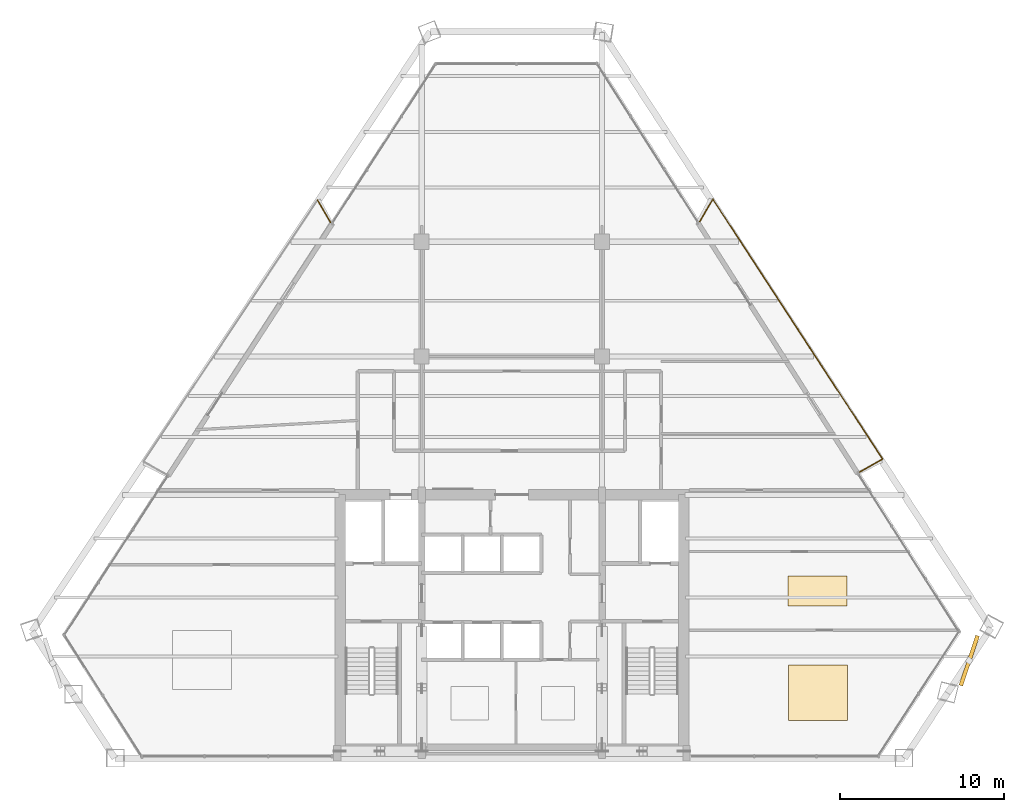
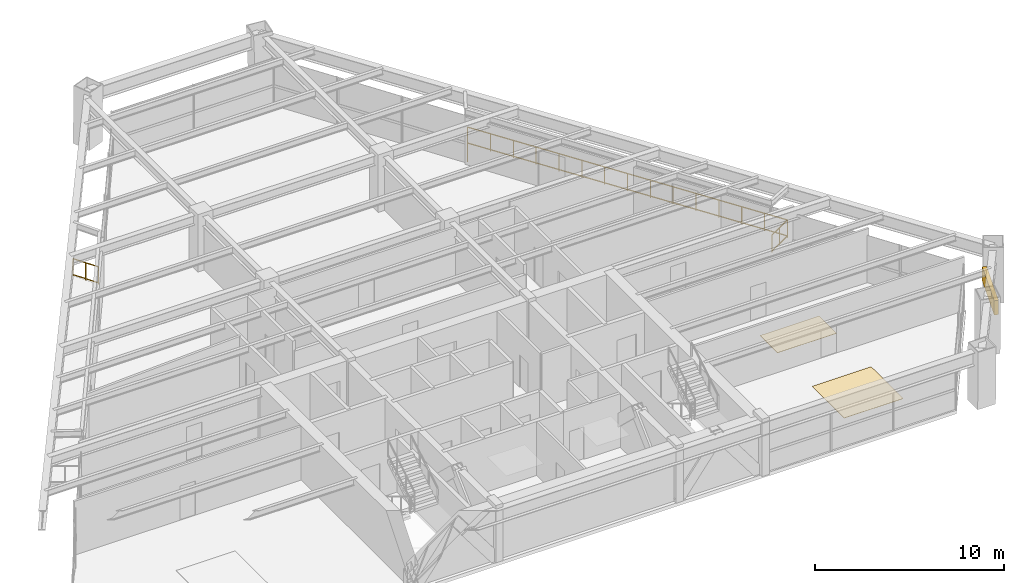
# One storey, part 15 of 15: 4 railings, 2 coverings, 1 shading device.
"""IFC4 building model written with IfcOpenShell, lengths in metres."""

import ifcopenshell
import ifcopenshell.guid

model = None  # the IFC model being written
_history = None  # IfcOwnerHistory: only IFC2X3 demands one
_inside = {}  # id of a spatial element -> (the spatial element, [elements in it])
_under = {}  # id of a project, library or spatial element -> (it, [spatial elements below it])
_declared = {}  # id of a project -> (the project, [libraries it declares])
_typed = {}  # id of a type object -> (the type object, [elements of that type])
_made_of = {}  # id of a material, layer set ... -> (it, [elements and type objects made of it])


def new_model(schema):
    """Start an empty IFC model of exactly this schema.

    Asked for "IFC4X3", IfcOpenShell would pick the latest addendum, in which some entities
    have other attributes; the version numbers below select the first issue.
    IFC2X3 requires an IfcOwnerHistory on every rooted entity: one is made here for all.
    """
    global model, _history
    if schema == "IFC4X3":
        model = ifcopenshell.file(schema_version=(4, 3, 0, 0))
    else:
        model = ifcopenshell.file(schema=schema)
    _inside.clear()
    _under.clear()
    _declared.clear()
    _typed.clear()
    _made_of.clear()
    _history = None
    if model.schema == "IFC2X3":
        org = make("IfcOrganization", Name="unknown")
        user = make(
            "IfcPersonAndOrganization",
            ThePerson=make("IfcPerson", FamilyName="unknown"),
            TheOrganization=org,
        )
        app = make(
            "IfcApplication",
            ApplicationDeveloper=org,
            Version="unknown",
            ApplicationFullName="unknown",
            ApplicationIdentifier="unknown",
        )
        _history = make(
            "IfcOwnerHistory",
            OwningUser=user,
            OwningApplication=app,
            ChangeAction="ADDED",
            CreationDate=0,
        )
    return model


def make(cls, **values):
    """One entity of the class cls with the attributes given. An attribute that is None is left unset."""
    return model.create_entity(
        cls, **{name: value for name, value in values.items() if value is not None}
    )


def rooted(cls, **values):
    """An entity with a GlobalId (a new one), such as an element, a storey or a relation."""
    return make(cls, GlobalId=ifcopenshell.guid.new(), OwnerHistory=_history, **values)


def si_unit(unit_type, name, prefix=None):
    """IfcSIUnit, for example si_unit("LENGTHUNIT", "METRE", prefix="MILLI")."""
    return make("IfcSIUnit", UnitType=unit_type, Prefix=prefix, Name=name)


def assignment(units):
    """IfcUnitAssignment: the units of a project."""
    return None if units is None else make("IfcUnitAssignment", Units=units)


def point(xyz):
    """IfcCartesianPoint."""
    return None if xyz is None else make("IfcCartesianPoint", Coordinates=xyz)


def direction(xyz):
    """IfcDirection."""
    return None if xyz is None else make("IfcDirection", DirectionRatios=xyz)


def frame(location, z_axis=None, x_axis=None):
    """IfcAxis2Placement3D, a coordinate frame: its origin and axes. An axis left out is left unset."""
    return make(
        "IfcAxis2Placement3D",
        Location=point(location),
        Axis=direction(z_axis),
        RefDirection=direction(x_axis),
    )


def frame_2d(location, x_axis=None):
    """IfcAxis2Placement2D, a coordinate frame in the plane: its origin and x axis."""
    return make(
        "IfcAxis2Placement2D", Location=point(location), RefDirection=direction(x_axis)
    )


def origin():
    """The frame at (0, 0, 0) with its axes left unset."""
    return frame((0.0, 0.0, 0.0))


def origin_2d():
    """The frame at (0, 0) in the plane with its x axis left unset."""
    return frame_2d((0.0, 0.0))


def place(relative_to, where):
    """IfcLocalPlacement: puts the frame where relative to a parent placement (None: the world)."""
    return make(
        "IfcLocalPlacement", PlacementRelTo=relative_to, RelativePlacement=where
    )


def context(
    kind, dimensions, precision=None, world=None, true_north=None, identifier=None
):
    """IfcGeometricRepresentationContext, for example the 3D "Model" context."""
    return make(
        "IfcGeometricRepresentationContext",
        ContextIdentifier=identifier,
        ContextType=kind,
        CoordinateSpaceDimension=dimensions,
        Precision=precision,
        WorldCoordinateSystem=world,
        TrueNorth=true_north,
    )


def subcontext(parent, identifier, kind, view, scale=None):
    """IfcGeometricRepresentationSubContext, for example "Body" below "Model"."""
    return make(
        "IfcGeometricRepresentationSubContext",
        ContextIdentifier=identifier,
        ContextType=kind,
        ParentContext=parent,
        TargetScale=scale,
        TargetView=view,
    )


def project(units=None, contexts=None):
    """IfcProject with its units and contexts."""
    return rooted(
        "IfcProject",
        Name="project",
        RepresentationContexts=contexts,
        UnitsInContext=assignment(units),
    )


def spatial(cls, under=None, at=None, **own):
    """A site, building, storey or space (cls), placed at a placement, below another one or the project."""
    s = rooted(cls, ObjectPlacement=at, **own)
    if under is not None:
        _under.setdefault(under.id(), (under, []))[1].append(s)
    return s


def profile(cls, at=None, kind="AREA", **sizes):
    """A parametric profile (cls). Its sizes go by their IFC names, for example OverallWidth=200.0."""
    return make(cls, ProfileType=kind, Position=at, **sizes)


def rectangle(**sizes):
    """IfcRectangleProfileDef."""
    return profile("IfcRectangleProfileDef", **sizes)


def extrude(swept, where, along, depth):
    """IfcExtrudedAreaSolid: the profile swept, set in the frame where, extruded along a direction by depth."""
    return make(
        "IfcExtrudedAreaSolid",
        SweptArea=swept,
        Position=where,
        ExtrudedDirection=direction(along),
        Depth=depth,
    )


def shape(context_of_items, identifier, shape_type, items):
    """IfcShapeRepresentation: the items that make up one representation, for example the "Body"."""
    return make(
        "IfcShapeRepresentation",
        ContextOfItems=context_of_items,
        RepresentationIdentifier=identifier,
        RepresentationType=shape_type,
        Items=items,
    )


def source(mapping_origin, context_of_items, identifier, shape_type, items):
    """IfcRepresentationMap: a shape defined once, which mapped items show again and again."""
    return make(
        "IfcRepresentationMap",
        MappingOrigin=mapping_origin,
        MappedRepresentation=shape(context_of_items, identifier, shape_type, items),
    )


def transform(
    local_origin,
    x_axis=None,
    y_axis=None,
    z_axis=None,
    scale=None,
    scale2=None,
    scale3=None,
    uniform=True,
):
    """IfcCartesianTransformationOperator3D, or its non-uniform kind. x_axis, y_axis, z_axis: its Axis1, 2, 3."""
    if uniform:
        return make(
            "IfcCartesianTransformationOperator3D",
            Axis1=direction(x_axis),
            Axis2=direction(y_axis),
            LocalOrigin=point(local_origin),
            Scale=scale,
            Axis3=direction(z_axis),
        )
    return make(
        "IfcCartesianTransformationOperator3DnonUniform",
        Axis1=direction(x_axis),
        Axis2=direction(y_axis),
        LocalOrigin=point(local_origin),
        Scale=scale,
        Axis3=direction(z_axis),
        Scale2=scale2,
        Scale3=scale3,
    )


def mapped(mapping_source, mapping_target):
    """IfcMappedItem: shows the shape of a source again, moved by a transform."""
    return make(
        "IfcMappedItem", MappingSource=mapping_source, MappingTarget=mapping_target
    )


def material(Name=None, Category=None):
    """IfcMaterial."""
    return make("IfcMaterial", Name=Name, Category=Category)


def layer(
    of_material, thickness, ventilated=None, Name=None, Category=None, Priority=None
):
    """IfcMaterialLayer: one layer of a wall or slab, of a material (None: an air gap)."""
    return make(
        "IfcMaterialLayer",
        Material=of_material,
        LayerThickness=thickness,
        IsVentilated=ventilated,
        Name=Name,
        Category=Category,
        Priority=Priority,
    )


def layer_set(layers, Name=None):
    """IfcMaterialLayerSet."""
    return make("IfcMaterialLayerSet", MaterialLayers=layers, LayerSetName=Name)


def made_of(thing, what):
    """Note that an element or type object is made of a material, layer set ...; save() writes the relation."""
    if what is not None:
        _made_of.setdefault(what.id(), (what, []))[1].append(thing)
    return thing


def type_object(cls, material=None, **own):
    """A type object (cls), such as IfcWallType, which elements share."""
    return made_of(rooted(cls, **own), material)


def type_shapes(of_type, sources):
    """Give a type object the sources (RepresentationMaps) that its elements show as mapped items."""
    of_type.RepresentationMaps = sources


def element(
    cls,
    number,
    at=None,
    inside=None,
    cuts=None,
    type_object=None,
    material=None,
    context=None,
    identifier="Body",
    shape_type=None,
    held_by="IfcProductDefinitionShape",
    body=None,
    shapes=None,
    **own,
):
    """One element of the class cls, such as IfcWall. Its Tag is "e" and its number.

    at: its placement. inside: the storey or other place that contains it. cuts: it is an
    opening in that element (IfcRelVoidsElement). A single representation is given by context,
    identifier, shape_type and body (its items); several are given by shapes. held_by: the class
    of the entity that holds the representations. save() writes the other relations.
    """
    e = rooted(cls, Tag="e%d" % number, ObjectPlacement=at, **own)
    if body is not None:
        shapes = [shape(context, identifier, shape_type, body)]
    if shapes is not None:
        e.Representation = make(held_by, Representations=shapes)
    if inside is not None:
        _inside.setdefault(inside.id(), (inside, []))[1].append(e)
    if cuts is not None:
        rooted(
            "IfcRelVoidsElement", RelatingBuildingElement=cuts, RelatedOpeningElement=e
        )
    if type_object is not None:
        _typed.setdefault(type_object.id(), (type_object, []))[1].append(e)
    return made_of(e, material)


def aggregate(whole, parts):
    """IfcRelAggregates: a whole, such as a stair, and the parts it consists of."""
    return rooted("IfcRelAggregates", RelatingObject=whole, RelatedObjects=parts)


def save(model, path):
    """Write the relations noted so far, then the file.

    IfcRelAggregates (storeys below a building ...), IfcRelContainedInSpatialStructure (elements
    in a storey), IfcRelDefinesByType, IfcRelAssociatesMaterial and IfcRelDeclares: one each for
    every whole, place, type object, material and project.
    """
    for whole, parts in _under.values():
        aggregate(whole, parts)
    for where, things in _inside.values():
        rooted(
            "IfcRelContainedInSpatialStructure",
            RelatedElements=things,
            RelatingStructure=where,
        )
    for kind, things in _typed.values():
        rooted("IfcRelDefinesByType", RelatedObjects=things, RelatingType=kind)
    for what, things in _made_of.values():
        rooted("IfcRelAssociatesMaterial", RelatedObjects=things, RelatingMaterial=what)
    for by, libraries in _declared.values():
        rooted("IfcRelDeclares", RelatingContext=by, RelatedDefinitions=libraries)
    model.write(path)


model = new_model("IFC4")

# Units and contexts
model_context = context("Model", 3, precision=1e-05, world=origin(), true_north=direction((0.0, 1.0)))
body_context = subcontext(model_context, "Body", "Model", "MODEL_VIEW")
ifc_project = project(units=[si_unit("LENGTHUNIT", "METRE"), si_unit("AREAUNIT", "SQUARE_METRE"), si_unit("VOLUMEUNIT", "CUBIC_METRE"), si_unit("PLANEANGLEUNIT", "RADIAN"), si_unit("MASSUNIT", "GRAM", prefix="KILO")], contexts=[model_context])

# Site, building, storey
site_placement = place(None, origin())
site = spatial("IfcSite", under=ifc_project, at=site_placement, CompositionType="ELEMENT")
building_placement = place(site_placement, origin())
building = spatial("IfcBuilding", under=site, at=building_placement, Name="Varnakhor Terracotta Tower", CompositionType="ELEMENT")
storey_placement = place(building_placement, frame((0.0, 0.0, 140.39990234375)))
storey = spatial("IfcBuildingStorey", under=building, at=storey_placement, Name="L35", CompositionType="ELEMENT", Elevation=140.39990234375)

# Railings
ifc_material_1 = material(Name="Stainless Steel & Laminated Glass Guardrail", Category="steel")
railing_type = type_object("IfcRailingType", Name="RLG-LOGGIA-GUARD-1150", PredefinedType="GUARDRAIL", material=ifc_material_1)
railing_1_placement = place(storey_placement, frame((11.463134765625, 32.73828125, 0.0)))
element("IfcRailing", 1, at=railing_1_placement, inside=storey, type_object=railing_type, Name="L35 E Loggia Glass Guard 1", PredefinedType="GUARDRAIL", context=body_context, shape_type="SweptSolid", body=[
    extrude(rectangle(XDim=0.048095703125, YDim=0.048095703125, at=origin_2d()), frame((0.0, 0.0, 1.1259765625), z_axis=(0.507231354685, 0.861809928479, 0.0), x_axis=(-0.861809928479, 0.507231354685, 0.0)), (0.0, 0.0, 1.0), 1.565673828125),
    extrude(rectangle(XDim=0.048095703125, YDim=0.048095703125, at=origin_2d()), frame((0.0, 0.0, 0.10009765625), z_axis=(0.507231354685, 0.861809928479, 0.0), x_axis=(-0.861809928479, 0.507231354685, 0.0)), (0.0, 0.0, 1.0), 1.565673828125),
    extrude(rectangle(XDim=0.0419921875, YDim=0.0419921875, at=origin_2d()), origin(), (0.0, 0.0, 1.0), 1.101806640625),
    extrude(rectangle(XDim=0.0419921875, YDim=0.0419921875, at=origin_2d()), frame((0.39697265625, 0.6748046875, 0.0)), (0.0, 0.0, 1.0), 1.101806640625),
    extrude(rectangle(XDim=0.0419921875, YDim=0.0419921875, at=origin_2d()), frame((0.794189453125, 1.349365234375, 0.0)), (0.0, 0.0, 1.0), 1.101806640625),
])
railing_2_placement = place(storey_placement, frame((12.25732421875, 34.087646484375, 0.0)))
element("IfcRailing", 2, at=railing_2_placement, inside=storey, type_object=railing_type, Name="L35 E Loggia Glass Guard 2", PredefinedType="GUARDRAIL", context=body_context, shape_type="SweptSolid", body=[
    extrude(rectangle(XDim=0.048095703125, YDim=0.048095703125, at=origin_2d()), frame((0.0, 0.0, 1.1259765625), z_axis=(0.546798866271, -0.837263996506, 0.0), x_axis=(0.837263996506, 0.546798866271, 0.0)), (0.0, 0.0, 1.0), 18.9267578125),
    extrude(rectangle(XDim=0.048095703125, YDim=0.048095703125, at=origin_2d()), frame((0.0, 0.0, 0.10009765625), z_axis=(0.546798866271, -0.837263996506, 0.0), x_axis=(0.837263996506, 0.546798866271, 0.0)), (0.0, 0.0, 1.0), 18.9267578125),
    extrude(rectangle(XDim=0.0419921875, YDim=0.0419921875, at=origin_2d()), origin(), (0.0, 0.0, 1.0), 1.101806640625),
    extrude(rectangle(XDim=0.0419921875, YDim=0.0419921875, at=origin_2d()), frame((0.7392578125, -1.1318359375, 0.0)), (0.0, 0.0, 1.0), 1.101806640625),
    extrude(rectangle(XDim=0.0419921875, YDim=0.0419921875, at=origin_2d()), frame((1.478515625, -2.263916015625, 0.0)), (0.0, 0.0, 1.0), 1.101806640625),
    extrude(rectangle(XDim=0.0419921875, YDim=0.0419921875, at=origin_2d()), frame((2.2177734375, -3.395751953125, 0.0)), (0.0, 0.0, 1.0), 1.101806640625),
    extrude(rectangle(XDim=0.0419921875, YDim=0.0419921875, at=origin_2d()), frame((2.956787109375, -4.527587890625, 0.0)), (0.0, 0.0, 1.0), 1.101806640625),
    extrude(rectangle(XDim=0.0419921875, YDim=0.0419921875, at=origin_2d()), frame((3.696044921875, -5.659423828125, 0.0)), (0.0, 0.0, 1.0), 1.101806640625),
    extrude(rectangle(XDim=0.0419921875, YDim=0.0419921875, at=origin_2d()), frame((4.435302734375, -6.79150390625, 0.0)), (0.0, 0.0, 1.0), 1.101806640625),
    extrude(rectangle(XDim=0.0419921875, YDim=0.0419921875, at=origin_2d()), frame((5.174560546875, -7.92333984375, 0.0)), (0.0, 0.0, 1.0), 1.101806640625),
    extrude(rectangle(XDim=0.0419921875, YDim=0.0419921875, at=origin_2d()), frame((5.913818359375, -9.05517578125, 0.0)), (0.0, 0.0, 1.0), 1.101806640625),
    extrude(rectangle(XDim=0.0419921875, YDim=0.0419921875, at=origin_2d()), frame((6.653076171875, -10.187255859375, 0.0)), (0.0, 0.0, 1.0), 1.101806640625),
    extrude(rectangle(XDim=0.0419921875, YDim=0.0419921875, at=origin_2d()), frame((7.392333984375, -11.319091796875, 0.0)), (0.0, 0.0, 1.0), 1.101806640625),
    extrude(rectangle(XDim=0.0419921875, YDim=0.0419921875, at=origin_2d()), frame((8.13134765625, -12.450927734375, 0.0)), (0.0, 0.0, 1.0), 1.101806640625),
    extrude(rectangle(XDim=0.0419921875, YDim=0.0419921875, at=origin_2d()), frame((8.87060546875, -13.582763671875, 0.0)), (0.0, 0.0, 1.0), 1.101806640625),
    extrude(rectangle(XDim=0.0419921875, YDim=0.0419921875, at=origin_2d()), frame((9.60986328125, -14.71484375, 0.0)), (0.0, 0.0, 1.0), 1.101806640625),
    extrude(rectangle(XDim=0.0419921875, YDim=0.0419921875, at=origin_2d()), frame((10.34912109375, -15.8466796875, 0.0)), (0.0, 0.0, 1.0), 1.101806640625),
])
railing_3_placement = place(storey_placement, frame((22.6064453125, 18.240966796875, 0.0)))
element("IfcRailing", 3, at=railing_3_placement, inside=storey, type_object=railing_type, Name="L35 E Loggia Glass Guard 3", PredefinedType="GUARDRAIL", context=body_context, shape_type="SweptSolid", body=[
    extrude(rectangle(XDim=0.048095703125, YDim=0.048095703125, at=origin_2d()), frame((0.0, 0.0, 1.1259765625), z_axis=(-0.869463964821, -0.493996370308, 0.0), x_axis=(0.493996370308, -0.869463964821, 0.0)), (0.0, 0.0, 1.0), 1.608642578125),
    extrude(rectangle(XDim=0.048095703125, YDim=0.048095703125, at=origin_2d()), frame((0.0, 0.0, 0.10009765625), z_axis=(-0.869463964821, -0.493996370308, 0.0), x_axis=(0.493996370308, -0.869463964821, 0.0)), (0.0, 0.0, 1.0), 1.608642578125),
    extrude(rectangle(XDim=0.0419921875, YDim=0.0419921875, at=origin_2d()), origin(), (0.0, 0.0, 1.0), 1.101806640625),
    extrude(rectangle(XDim=0.0419921875, YDim=0.0419921875, at=origin_2d()), frame((-0.69921875, -0.3974609375, 0.0)), (0.0, 0.0, 1.0), 1.101806640625),
    extrude(rectangle(XDim=0.0419921875, YDim=0.0419921875, at=origin_2d()), frame((-1.398681640625, -0.794677734375, 0.0)), (0.0, 0.0, 1.0), 1.101806640625),
])
railing_4_placement = place(storey_placement, frame((-11.85693359375, 34.031005859375, 0.0)))
element("IfcRailing", 4, at=railing_4_placement, inside=storey, type_object=railing_type, Name="L35 W Loggia Glass Guard 3", PredefinedType="GUARDRAIL", context=body_context, shape_type="SweptSolid", body=[
    extrude(rectangle(XDim=0.048095703125, YDim=0.048095703125, at=origin_2d()), frame((0.0, 0.0, 1.1259765625), z_axis=(0.50916532391, -0.860668735884, 0.0), x_axis=(0.860668735884, 0.50916532391, 0.0)), (0.0, 0.0, 1.0), 1.5654296875),
    extrude(rectangle(XDim=0.048095703125, YDim=0.048095703125, at=origin_2d()), frame((0.0, 0.0, 0.10009765625), z_axis=(0.50916532391, -0.860668735884, 0.0), x_axis=(0.860668735884, 0.50916532391, 0.0)), (0.0, 0.0, 1.0), 1.5654296875),
    extrude(rectangle(XDim=0.0419921875, YDim=0.0419921875, at=origin_2d()), origin(), (0.0, 0.0, 1.0), 1.101806640625),
    extrude(rectangle(XDim=0.0419921875, YDim=0.0419921875, at=origin_2d()), frame((0.3984375, -0.673828125, 0.0)), (0.0, 0.0, 1.0), 1.101806640625),
    extrude(rectangle(XDim=0.0419921875, YDim=0.0419921875, at=origin_2d()), frame((0.797119140625, -1.347412109375, 0.0)), (0.0, 0.0, 1.0), 1.101806640625),
])

# Shading device
ifc_material_2 = material(Name="Extruded Architectural Terracotta Screen", Category="masonry")
shading_device_type = type_object("IfcShadingDeviceType", Name="TERRACOTTA SOLAR SCREEN E", PredefinedType="USERDEFINED", material=ifc_material_2)
shared_shape_1 = source(origin(), body_context, "Body", "SweptSolid", [
    extrude(rectangle(XDim=3.199951171875, YDim=0.239990234375, at=origin_2d()), origin(), (0.0, 0.0, 1.0), 0.919921875),
])
type_shapes(shading_device_type, [shared_shape_1])
shading_device_placement = place(storey_placement, frame((27.89404296875, 5.949462890625, 1.710205078125), z_axis=(0.0, 0.0, 1.0), x_axis=(0.318562281024, 0.947901932221, 0.0)))
element("IfcShadingDevice", 5, at=shading_device_placement, inside=storey, type_object=shading_device_type, Name="L35 E Terracotta Solar Screen", ObjectType="SCREEN", PredefinedType="USERDEFINED", context=body_context, shape_type="MappedRepresentation", body=[
    mapped(shared_shape_1, transform((0.0, 0.0, 0.0), scale=1.0)),
])

# Coverings
ifc_material_3 = material(Name="Honed Riyadh Limestone Flooring", Category="masonry")
ifc_layer = layer(ifc_material_3, 0.030029296875, Name="Honed Riyadh Limestone Flooring")
ifc_layer_set = layer_set([ifc_layer], Name="Honed Riyadh Limestone Flooring")
covering_type = type_object("IfcCoveringType", Name="COV-FLOOR-LIMESTONE", PredefinedType="FLOORING", material=ifc_layer_set)
shared_shape_2 = source(origin(), body_context, "Body", "SweptSolid", [
    extrude(rectangle(XDim=3.60009765625, YDim=3.37890625, at=origin_2d()), origin(), (0.0, 0.0, 1.0), 0.02001953125),
])
covering_1_placement = place(storey_placement, frame((18.674072265625, 4.001953125, 0.0), z_axis=(0.0, 0.0, 1.0), x_axis=(1.0, 0.0, 0.0)))
element("IfcCovering", 6, at=covering_1_placement, inside=storey, type_object=covering_type, Name="L35 Honed Stone Flooring 3", PredefinedType="FLOORING", context=body_context, shape_type="MappedRepresentation", body=[
    mapped(shared_shape_2, transform((0.0, 0.0, 0.0), scale=1.0)),
])
shared_shape_3 = source(origin(), body_context, "Body", "SweptSolid", [
    extrude(rectangle(XDim=3.60009765625, YDim=1.841064453125, at=origin_2d()), origin(), (0.0, 0.0, 1.0), 0.02001953125),
])
covering_2_placement = place(storey_placement, frame((18.6298828125, 10.199951171875, 0.0), z_axis=(0.0, 0.0, 1.0), x_axis=(1.0, 0.0, 0.0)))
element("IfcCovering", 7, at=covering_2_placement, inside=storey, type_object=covering_type, Name="L35 Honed Stone Flooring 5", PredefinedType="FLOORING", context=body_context, shape_type="MappedRepresentation", body=[
    mapped(shared_shape_3, transform((0.0, 0.0, 0.0), scale=1.0)),
])

save(model, "model.ifc")
